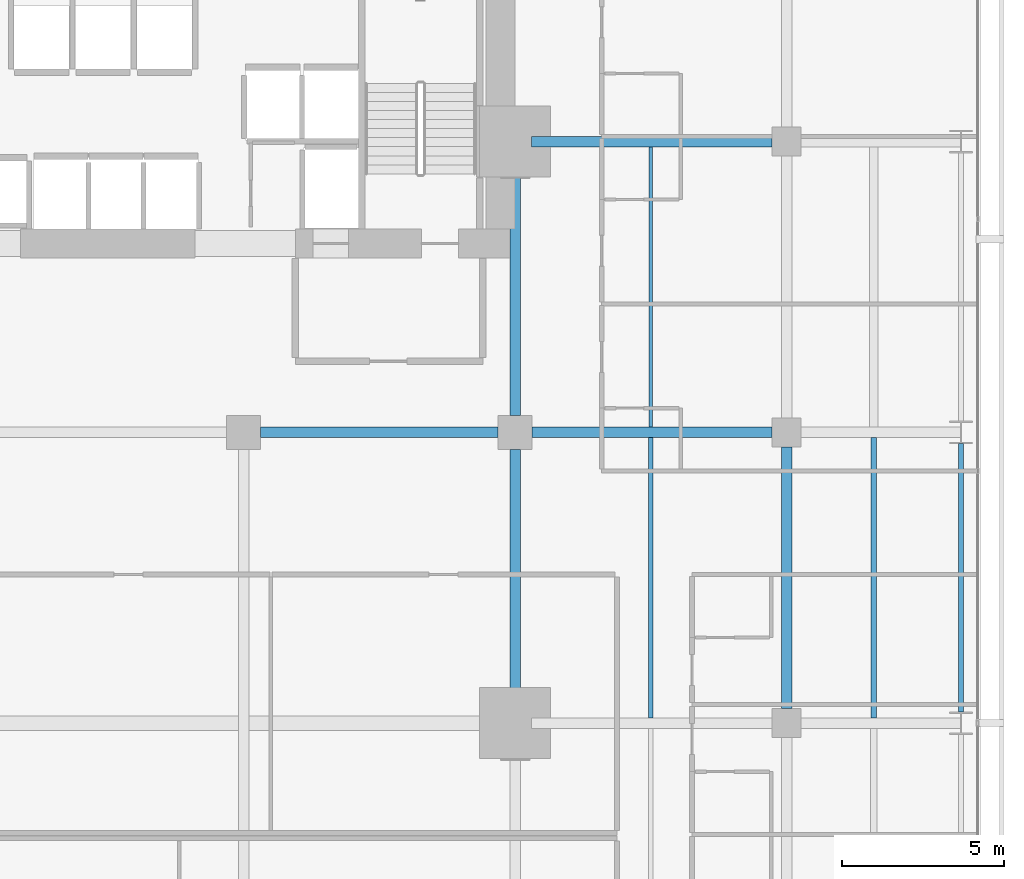
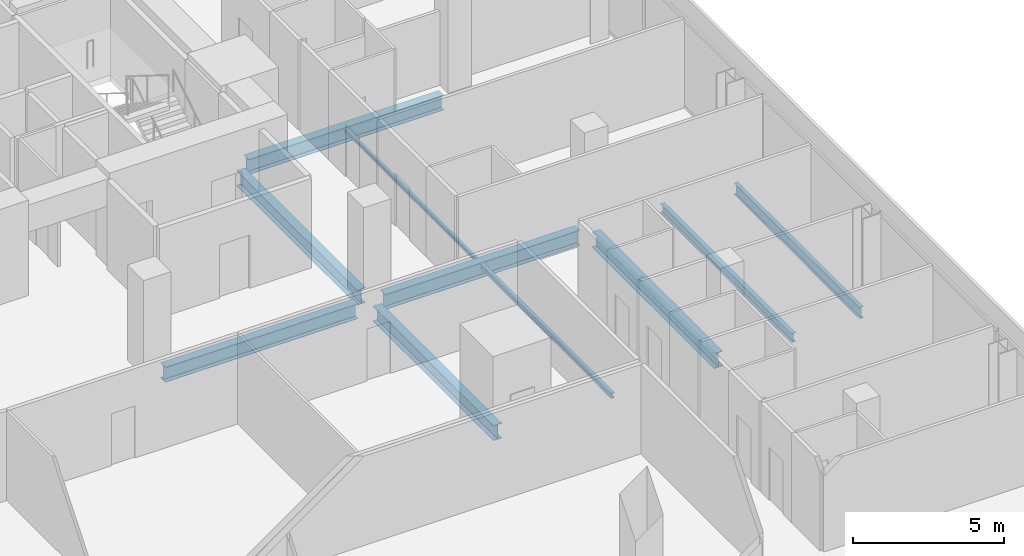
# One storey, part 27 of 40: 10 beams.
"""IFC4 building model written with IfcOpenShell, lengths in metres."""

from ifc_helpers import new_model, si_unit, direction, frame, origin, origin_2d, place, context, subcontext, project, spatial, i_section, extrude, material, material_profile, profile_set, type_object, element, save


model = new_model("IFC4")

# Units and contexts
model_context = context("Model", 3, precision=1e-05, world=origin(), true_north=direction((0.0, 1.0)))
body_context = subcontext(model_context, "Body", "Model", "MODEL_VIEW")
ifc_project = project(units=[si_unit("LENGTHUNIT", "METRE"), si_unit("AREAUNIT", "SQUARE_METRE"), si_unit("VOLUMEUNIT", "CUBIC_METRE"), si_unit("PLANEANGLEUNIT", "RADIAN"), si_unit("MASSUNIT", "GRAM", prefix="KILO")], contexts=[model_context])

# Site, building, storey
site_placement = place(None, origin())
site = spatial("IfcSite", under=ifc_project, at=site_placement, CompositionType="ELEMENT")
building_placement = place(site_placement, origin())
building = spatial("IfcBuilding", under=site, at=building_placement, Name="Maruvema Waterfront Hotel and Observation Tower", CompositionType="ELEMENT")
storey_placement = place(building_placement, frame((0.0, 0.0, 80.85009765625)))
storey = spatial("IfcBuildingStorey", under=building, at=storey_placement, Name="L19", CompositionType="ELEMENT", Elevation=80.85009765625)

# Beams
ifc_material_1 = material(Name="Steel ASTM A572 Grade 50", Category="steel")
ifc_material_profile_1 = material_profile(ifc_material_1, i_section(OverallWidth=0.153076171875, OverallDepth=0.455078125, WebThickness=0.008056640625, FlangeThickness=0.01318359375, FilletRadius=0.014892578125, at=origin_2d()), Name="W460x60.0")
ifc_profile_set_1 = profile_set([ifc_material_profile_1], Name="Steel ASTM A572 Grade 50")
beam_type_1 = type_object("IfcBeamType", Name="Perimeter Spandrel Beam W460x60.0", PredefinedType="SPANDREL", material=ifc_profile_set_1)
beam_1_placement = place(storey_placement, frame((64.199951171875, 27.35009765625, -0.467529296875), z_axis=(0.0, 1.0, 0.0), x_axis=(-1.0, 0.0, 0.0)))
element("IfcBeam", 1, at=beam_1_placement, inside=storey, type_object=beam_type_1, Name="L19 Floor Girder NS-35", PredefinedType="SPANDREL", context=body_context, shape_type="SweptSolid", body=[
    extrude(i_section(OverallWidth=0.153076171875, OverallDepth=0.455078125, WebThickness=0.008056640625, FlangeThickness=0.01318359375, FilletRadius=0.014892578125, at=origin_2d()), origin(), (0.0, 0.0, 1.0), 8.2998046875),
])
ifc_material_2 = material(Name="Steel ASTM A572 Grade 50", Category="steel")
ifc_material_profile_2 = material_profile(ifc_material_2, i_section(OverallWidth=0.323974609375, OverallDepth=0.611083984375, WebThickness=0.0126953125, FlangeThickness=0.01904296875, FilletRadius=0.01806640625, at=origin_2d()), Name="W610x155.0")
ifc_profile_set_2 = profile_set([ifc_material_profile_2], Name="Steel ASTM A572 Grade 50")
beam_type_2 = type_object("IfcBeamType", Name="Primary Floor Girder W610x155.0", PredefinedType="BEAM", material=ifc_profile_set_2)
beam_2_placement = place(storey_placement, frame((42.52490234375, 36.0, -0.545654296875), z_axis=(1.0, 0.0, 0.0), x_axis=(0.0, 1.0, 0.0)))
element("IfcBeam", 2, at=beam_2_placement, inside=storey, type_object=beam_type_2, Name="L19 Floor Girder EW-29", PredefinedType="BEAM", context=body_context, shape_type="SweptSolid", body=[
    extrude(i_section(OverallWidth=0.323974609375, OverallDepth=0.611083984375, WebThickness=0.0126953125, FlangeThickness=0.01904296875, FilletRadius=0.01806640625, at=origin_2d()), origin(), (0.0, 0.0, 1.0), 7.35009765625),
])
beam_3_placement = place(storey_placement, frame((50.925048828125, 36.0, -0.545654296875), z_axis=(1.0, 0.0, 0.0), x_axis=(0.0, 1.0, 0.0)))
element("IfcBeam", 3, at=beam_3_placement, inside=storey, type_object=beam_type_2, Name="L19 Floor Girder EW-30", PredefinedType="BEAM", context=body_context, shape_type="SweptSolid", body=[
    extrude(i_section(OverallWidth=0.323974609375, OverallDepth=0.611083984375, WebThickness=0.0126953125, FlangeThickness=0.01904296875, FilletRadius=0.01806640625, at=origin_2d()), origin(), (0.0, 0.0, 1.0), 7.425048828125),
])
beam_4_placement = place(storey_placement, frame((50.89990234375, 45.0, -0.545654296875), z_axis=(1.0, 0.0, 0.0), x_axis=(0.0, 1.0, 0.0)))
element("IfcBeam", 4, at=beam_4_placement, inside=storey, type_object=beam_type_2, Name="L19 Floor Girder EW-34", PredefinedType="BEAM", context=body_context, shape_type="SweptSolid", body=[
    extrude(i_section(OverallWidth=0.323974609375, OverallDepth=0.611083984375, WebThickness=0.0126953125, FlangeThickness=0.01904296875, FilletRadius=0.01806640625, at=origin_2d()), origin(), (0.0, 0.0, 1.0), 7.4501953125),
])
for number, where, z_axis, x_axis, name in (
    (5, (50.39990234375, 27.5, -0.545654296875), (0.0, 1.0, 0.0), (-1.0, 0.0, 0.0), "L19 Floor Girder NS-25"),
    (6, (50.39990234375, 36.52490234375, -0.545654296875), (0.0, 1.0, 0.0), (-1.0, 0.0, 0.0), "L19 Floor Girder NS-26"),
):
    element("IfcBeam", number, at=place(storey_placement, frame(where, z_axis=z_axis, x_axis=x_axis)), inside=storey, type_object=beam_type_2, Name=name, PredefinedType="BEAM", context=body_context, shape_type="SweptSolid", body=[
        extrude(i_section(OverallWidth=0.323974609375, OverallDepth=0.611083984375, WebThickness=0.0126953125, FlangeThickness=0.01904296875, FilletRadius=0.01806640625, at=origin_2d()), origin(), (0.0, 0.0, 1.0), 7.97509765625),
    ])
beam_5_placement = place(storey_placement, frame((58.800048828125, 27.449951171875, -0.545654296875), z_axis=(0.0, 1.0, 0.0), x_axis=(-1.0, 0.0, 0.0)))
element("IfcBeam", 7, at=beam_5_placement, inside=storey, type_object=beam_type_2, Name="L19 Floor Girder NS-30", PredefinedType="BEAM", context=body_context, shape_type="SweptSolid", body=[
    extrude(i_section(OverallWidth=0.323974609375, OverallDepth=0.611083984375, WebThickness=0.0126953125, FlangeThickness=0.01904296875, FilletRadius=0.01806640625, at=origin_2d()), origin(), (0.0, 0.0, 1.0), 8.10009765625),
])
ifc_material_3 = material(Name="Steel ASTM A572 Grade 50", Category="steel")
ifc_material_profile_3 = material_profile(ifc_material_3, i_section(OverallWidth=0.10009765625, OverallDepth=0.153076171875, WebThickness=0.005859375, FlangeThickness=0.007080078125, FilletRadius=0.008056640625, at=origin_2d()), Name="W150x18.0")
ifc_profile_set_3 = profile_set([ifc_material_profile_3], Name="Steel ASTM A572 Grade 50")
beam_type_3 = type_object("IfcBeamType", Name="Secondary Floor Joist W150x18.0", PredefinedType="JOIST", material=ifc_profile_set_3)
beam_6_placement = place(storey_placement, frame((54.60009765625, 36.162109375, -0.316650390625), z_axis=(0.0, 1.0, 0.0), x_axis=(-1.0, 0.0, 0.0)))
element("IfcBeam", 8, at=beam_6_placement, inside=storey, type_object=beam_type_3, Name="L19 Secondary Floor Joist JS-20", PredefinedType="JOIST", context=body_context, shape_type="SweptSolid", body=[
    extrude(i_section(OverallWidth=0.10009765625, OverallDepth=0.153076171875, WebThickness=0.005859375, FlangeThickness=0.007080078125, FilletRadius=0.008056640625, at=origin_2d()), origin(), (0.0, 0.0, 1.0), 8.67578125),
])
ifc_material_4 = material(Name="Steel ASTM A572 Grade 50", Category="steel")
ifc_material_profile_4 = material_profile(ifc_material_4, i_section(OverallWidth=0.133056640625, OverallDepth=0.20703125, WebThickness=0.005859375, FlangeThickness=0.00830078125, FilletRadius=0.010009765625, at=origin_2d()), Name="W200x26.6")
ifc_profile_set_4 = profile_set([ifc_material_profile_4], Name="Steel ASTM A572 Grade 50")
beam_type_4 = type_object("IfcBeamType", Name="Secondary Floor Joist W200x26.6", PredefinedType="JOIST", material=ifc_profile_set_4)
beam_7_placement = place(storey_placement, frame((54.60009765625, 27.162109375, -0.343505859375), z_axis=(0.0, 1.0, 0.0), x_axis=(-1.0, 0.0, 0.0)))
element("IfcBeam", 9, at=beam_7_placement, inside=storey, type_object=beam_type_4, Name="L19 Secondary Floor Joist JS-19", PredefinedType="JOIST", context=body_context, shape_type="SweptSolid", body=[
    extrude(i_section(OverallWidth=0.133056640625, OverallDepth=0.20703125, WebThickness=0.005859375, FlangeThickness=0.00830078125, FilletRadius=0.010009765625, at=origin_2d()), origin(), (0.0, 0.0, 1.0), 8.67578125),
])
ifc_material_5 = material(Name="Steel ASTM A572 Grade 50", Category="steel")
ifc_material_profile_5 = material_profile(ifc_material_5, i_section(OverallWidth=0.1708984375, OverallDepth=0.35498046875, WebThickness=0.007080078125, FlangeThickness=0.01171875, FilletRadius=0.014892578125, at=origin_2d()), Name="W360x51.0")
ifc_profile_set_5 = profile_set([ifc_material_profile_5], Name="Steel ASTM A572 Grade 50")
beam_type_5 = type_object("IfcBeamType", Name="Secondary Floor Joist W360x51.0", PredefinedType="JOIST", material=ifc_profile_set_5)
beam_8_placement = place(storey_placement, frame((61.5, 27.162109375, -0.41748046875), z_axis=(0.0, 1.0, 0.0), x_axis=(-1.0, 0.0, 0.0)))
element("IfcBeam", 10, at=beam_8_placement, inside=storey, type_object=beam_type_5, Name="L19 Secondary Floor Joist JS-23", PredefinedType="JOIST", context=body_context, shape_type="SweptSolid", body=[
    extrude(i_section(OverallWidth=0.1708984375, OverallDepth=0.35498046875, WebThickness=0.007080078125, FlangeThickness=0.01171875, FilletRadius=0.014892578125, at=origin_2d()), origin(), (0.0, 0.0, 1.0), 8.67578125),
])

save(model, "model.ifc")
